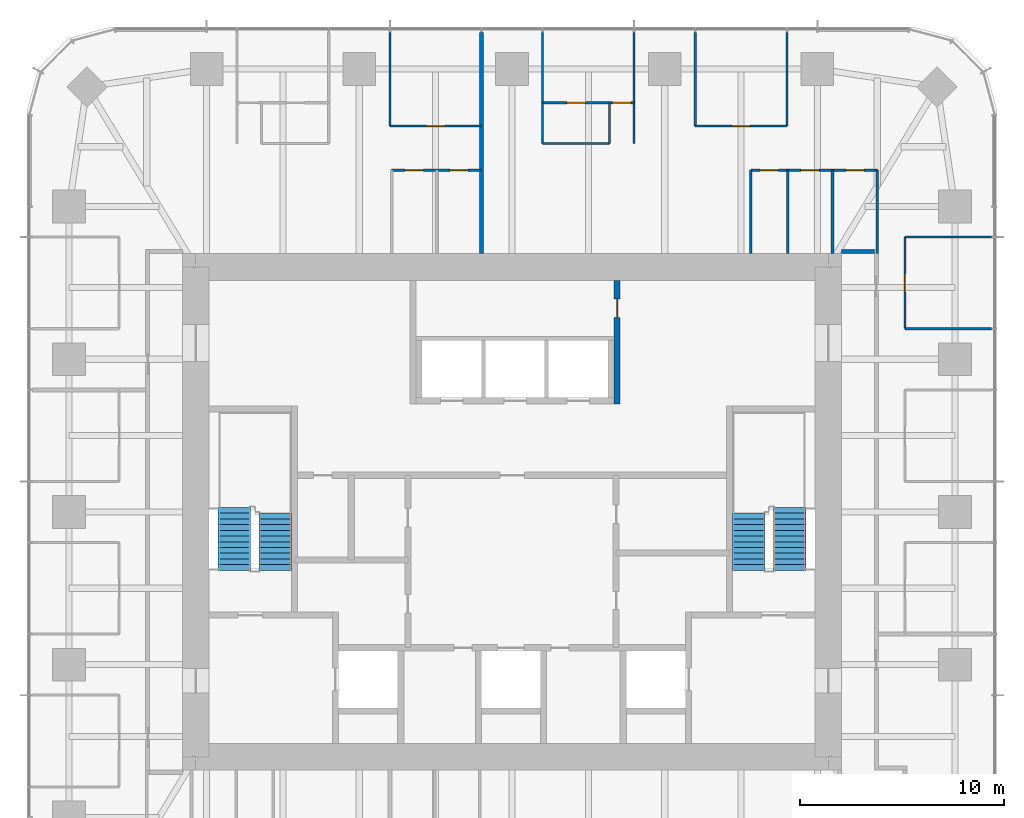
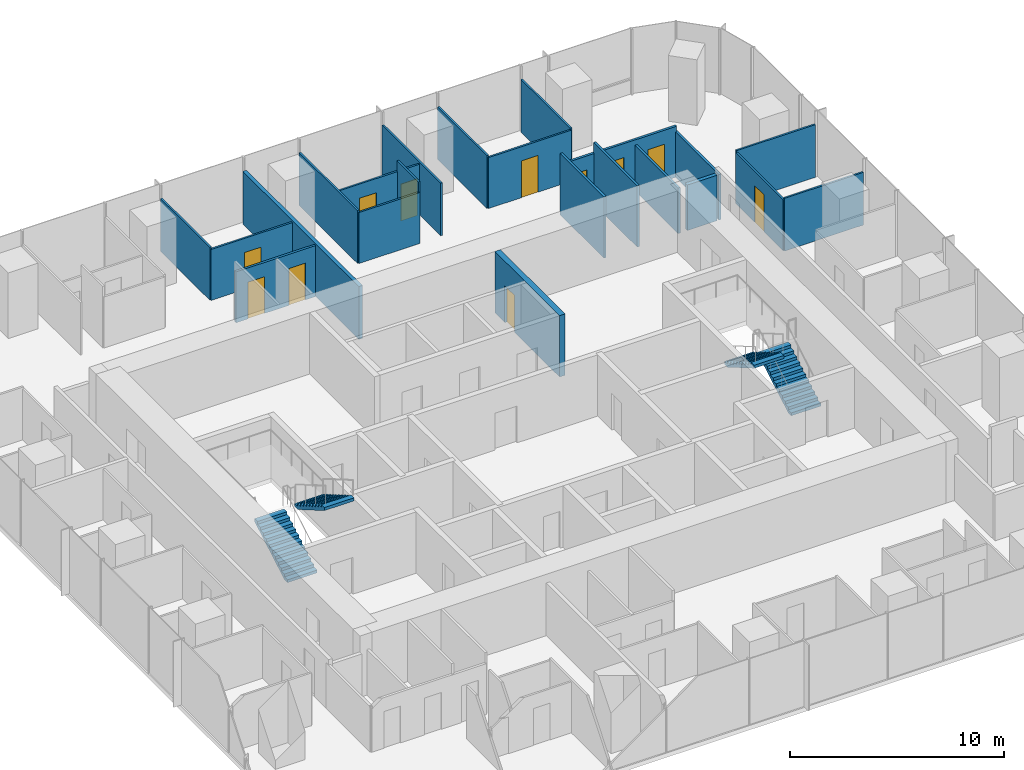
# One storey, part 11 of 12: 22 walls, 11 doors, 4 stair flights, 11 openings, 2 elements without a shape of their own.
"""IFC4 building model written with IfcOpenShell, lengths in metres."""

from ifc_helpers import new_model, si_unit, direction, frame, frame_2d, origin, place, context, subcontext, project, spatial, polyline, rectangle, outline, extrude, material, layer, layer_set, type_object, element, fill, aggregate, save


model = new_model("IFC4")

# Units and contexts
model_context = context("Model", 3, precision=1e-05, world=origin(), true_north=direction((0.0, 1.0)))
body_context = subcontext(model_context, "Body", "Model", "MODEL_VIEW")
ifc_project = project(units=[si_unit("LENGTHUNIT", "METRE"), si_unit("AREAUNIT", "SQUARE_METRE"), si_unit("VOLUMEUNIT", "CUBIC_METRE"), si_unit("PLANEANGLEUNIT", "RADIAN"), si_unit("MASSUNIT", "GRAM", prefix="KILO")], contexts=[model_context])

# Site, building, storey
site_placement = place(None, origin())
site = spatial("IfcSite", under=ifc_project, at=site_placement, CompositionType="ELEMENT")
building_placement = place(site_placement, origin())
building = spatial("IfcBuilding", under=site, at=building_placement, Name="Khuree Lantern Residences", CompositionType="ELEMENT")
storey_placement = place(building_placement, frame((0.0, 0.0, 300.75)))
storey = spatial("IfcBuildingStorey", under=building, at=storey_placement, Name="L75", CompositionType="ELEMENT", Elevation=300.75)

# Wall, openings, doors
ifc_material_1 = material(Name="Moisture-resistant gypsum board on steel studs", Category="steel")
ifc_layer_1 = layer(ifc_material_1, 0.125)
ifc_layer_set_1 = layer_set([ifc_layer_1], Name="BATHROOM WALL BTW125")
wall_type_1 = type_object("IfcWallType", Name="BATHROOM WALL BTW125", PredefinedType="PARTITIONING", material=ifc_layer_set_1)
wall_1_placement = place(storey_placement, frame((17.89990234375, 16.746337890625, 0.0), z_axis=(0.0, 0.0, 1.0), x_axis=(-1.0, 0.0, 0.0)))
wall_1 = element("IfcWall", 1, at=wall_1_placement, inside=storey, type_object=wall_type_1, Name="L75 BATHROOM WALL 01", PredefinedType="PARTITIONING", context=body_context, shape_type="SweptSolid", body=[
    extrude(rectangle(XDim=6.199951171875, YDim=0.125, at=frame_2d((3.10009765625, 0.0))), origin(), (0.0, 0.0, 1.0), 2.89990234375),
])
opening_1_placement = place(wall_1_placement, frame((0.64990234375, 0.0, 0.0)))
opening_1 = element("IfcOpeningElement", 2, at=opening_1_placement, cuts=wall_1, Name="Opening 75-028", PredefinedType="OPENING", context=body_context, shape_type="SweptSolid", body=[
    extrude(rectangle(XDim=0.89990234375, YDim=2.10009765625, at=frame_2d((0.449951171875, 1.050048828125))), frame((0.0, 0.072509765625, 0.0), z_axis=(0.0, -1.0, 0.0), x_axis=(1.0, 0.0, 0.0)), (0.0, 0.0, 1.0), 0.14501953125),
])
opening_2_placement = place(wall_1_placement, frame((2.85009765625, 0.0, 0.0)))
opening_2 = element("IfcOpeningElement", 3, at=opening_2_placement, cuts=wall_1, Name="Opening 75-029", PredefinedType="OPENING", context=body_context, shape_type="SweptSolid", body=[
    extrude(rectangle(XDim=0.89990234375, YDim=2.10009765625, at=frame_2d((0.449951171875, 1.050048828125))), frame((0.0, 0.072509765625, 0.0), z_axis=(0.0, -1.0, 0.0), x_axis=(1.0, 0.0, 0.0)), (0.0, 0.0, 1.0), 0.14501953125),
])
opening_3_placement = place(wall_1_placement, frame((4.85009765625, 0.0, 0.0)))
opening_3 = element("IfcOpeningElement", 4, at=opening_3_placement, cuts=wall_1, Name="Opening 75-030", PredefinedType="OPENING", context=body_context, shape_type="SweptSolid", body=[
    extrude(rectangle(XDim=0.89990234375, YDim=2.10009765625, at=frame_2d((0.449951171875, 1.050048828125))), frame((0.0, 0.072509765625, 0.0), z_axis=(0.0, -1.0, 0.0), x_axis=(1.0, 0.0, 0.0)), (0.0, 0.0, 1.0), 0.14501953125),
])
ifc_material_2 = material(Name="Timber door leaf in hardwood frame", Category="wood")
door_type_1 = type_object("IfcDoorType", Name="BATHROOM DOOR 900X2100", OperationType="SINGLE_SWING_LEFT", PredefinedType="DOOR", material=ifc_material_2)
door_1_placement = place(opening_1_placement, origin())
door_1 = element("IfcDoor", 5, at=door_1_placement, inside=storey, type_object=door_type_1, Name="Bathroom door 75-028", OperationType="SINGLE_SWING_LEFT", OverallHeight=2.10009765625, OverallWidth=0.89990234375, PredefinedType="DOOR", context=body_context, shape_type="SweptSolid", body=[
    extrude(rectangle(XDim=0.89990234375, YDim=2.10009765625, at=frame_2d((0.449951171875, 1.050048828125))), frame((0.0, 0.02490234375, 0.0), z_axis=(0.0, -1.0, 0.0), x_axis=(1.0, 0.0, 0.0)), (0.0, 0.0, 1.0), 0.050048828125),
])
fill(opening_1, door_1)
door_2_placement = place(opening_2_placement, origin())
door_2 = element("IfcDoor", 6, at=door_2_placement, inside=storey, type_object=door_type_1, Name="Bathroom door 75-029", OperationType="SINGLE_SWING_LEFT", OverallHeight=2.10009765625, OverallWidth=0.89990234375, PredefinedType="DOOR", context=body_context, shape_type="SweptSolid", body=[
    extrude(rectangle(XDim=0.89990234375, YDim=2.10009765625, at=frame_2d((0.449951171875, 1.050048828125))), frame((0.0, 0.02490234375, 0.0), z_axis=(0.0, -1.0, 0.0), x_axis=(1.0, 0.0, 0.0)), (0.0, 0.0, 1.0), 0.050048828125),
])
fill(opening_2, door_2)
door_type_2 = type_object("IfcDoorType", Name="DOOR 900X2100", OperationType="SINGLE_SWING_LEFT", PredefinedType="DOOR", material=ifc_material_2)
door_3_placement = place(opening_3_placement, origin())
door_3 = element("IfcDoor", 7, at=door_3_placement, inside=storey, type_object=door_type_2, Name="Store door 75-030", OperationType="SINGLE_SWING_LEFT", OverallHeight=2.10009765625, OverallWidth=0.89990234375, PredefinedType="DOOR", context=body_context, shape_type="SweptSolid", body=[
    extrude(rectangle(XDim=0.89990234375, YDim=2.10009765625, at=frame_2d((0.449951171875, 1.050048828125))), frame((0.0, 0.02490234375, 0.0), z_axis=(0.0, -1.0, 0.0), x_axis=(1.0, 0.0, 0.0)), (0.0, 0.0, 1.0), 0.050048828125),
])
fill(opening_3, door_3)

# Walls
for number, where, z_axis, x_axis, name in (
    (8, (17.89990234375, 12.64990234375, 0.0), (0.0, 0.0, 1.0), (0.0, 1.0, 0.0), "L75 BATHROOM WALL 01"),
    (9, (15.699951171875, 12.64990234375, 0.0), (0.0, 0.0, 1.0), (0.0, 1.0, 0.0), "L75 BATHROOM WALL 01"),
):
    element("IfcWall", number, at=place(storey_placement, frame(where, z_axis=z_axis, x_axis=x_axis)), inside=storey, type_object=wall_type_1, Name=name, PredefinedType="PARTITIONING", context=body_context, shape_type="SweptSolid", body=[
        extrude(rectangle(XDim=4.096435546875, YDim=0.125, at=frame_2d((2.04833984375, 0.0))), origin(), (0.0, 0.0, 1.0), 2.60009765625),
    ])
for number, where, z_axis, x_axis, name in (
    (10, (13.5, 12.64990234375, 0.0), (0.0, 0.0, 1.0), (0.0, 1.0, 0.0), "L75 BATHROOM WALL 01"),
    (11, (11.699951171875, 12.64990234375, 0.0), (0.0, 0.0, 1.0), (0.0, 1.0, 0.0), "L75 BATHROOM WALL 01"),
):
    element("IfcWall", number, at=place(storey_placement, frame(where, z_axis=z_axis, x_axis=x_axis)), inside=storey, type_object=wall_type_1, Name=name, PredefinedType="PARTITIONING", context=body_context, shape_type="SweptSolid", body=[
        extrude(rectangle(XDim=4.096435546875, YDim=0.125, at=frame_2d((2.04833984375, 0.0))), origin(), (0.0, 0.0, 1.0), 3.5),
    ])

# Wall, openings, doors
wall_2_placement = place(storey_placement, frame((-1.49609375, 16.746337890625, 0.0), z_axis=(0.0, 0.0, 1.0), x_axis=(-1.0, 0.0, 0.0)))
wall_2 = element("IfcWall", 12, at=wall_2_placement, inside=storey, type_object=wall_type_1, Name="L75 BATHROOM WALL 02", PredefinedType="PARTITIONING", context=body_context, shape_type="SweptSolid", body=[
    extrude(rectangle(XDim=4.39990234375, YDim=0.125, at=frame_2d((2.199951171875, 0.0))), origin(), (0.0, 0.0, 1.0), 2.909912109375),
])
opening_4_placement = place(wall_2_placement, frame((0.64990234375, 0.0, 0.0)))
opening_4 = element("IfcOpeningElement", 13, at=opening_4_placement, cuts=wall_2, Name="Opening 75-036", PredefinedType="OPENING", context=body_context, shape_type="SweptSolid", body=[
    extrude(rectangle(XDim=0.89990234375, YDim=2.10009765625, at=frame_2d((0.449951171875, 1.050048828125))), frame((0.0, 0.072509765625, 0.0), z_axis=(0.0, -1.0, 0.0), x_axis=(1.0, 0.0, 0.0)), (0.0, 0.0, 1.0), 0.14501953125),
])
opening_5_placement = place(wall_2_placement, frame((2.85009765625, 0.0, 0.0)))
opening_5 = element("IfcOpeningElement", 14, at=opening_5_placement, cuts=wall_2, Name="Opening 75-037", PredefinedType="OPENING", context=body_context, shape_type="SweptSolid", body=[
    extrude(rectangle(XDim=0.89990234375, YDim=2.10009765625, at=frame_2d((0.449951171875, 1.050048828125))), frame((0.0, 0.072509765625, 0.0), z_axis=(0.0, -1.0, 0.0), x_axis=(1.0, 0.0, 0.0)), (0.0, 0.0, 1.0), 0.14501953125),
])
door_4_placement = place(opening_4_placement, origin())
door_4 = element("IfcDoor", 15, at=door_4_placement, inside=storey, type_object=door_type_1, Name="Bathroom door 75-036", OperationType="SINGLE_SWING_LEFT", OverallHeight=2.10009765625, OverallWidth=0.89990234375, PredefinedType="DOOR", context=body_context, shape_type="SweptSolid", body=[
    extrude(rectangle(XDim=0.89990234375, YDim=2.10009765625, at=frame_2d((0.449951171875, 1.050048828125))), frame((0.0, 0.02490234375, 0.0), z_axis=(0.0, -1.0, 0.0), x_axis=(1.0, 0.0, 0.0)), (0.0, 0.0, 1.0), 0.050048828125),
])
fill(opening_4, door_4)
door_5_placement = place(opening_5_placement, origin())
door_5 = element("IfcDoor", 16, at=door_5_placement, inside=storey, type_object=door_type_1, Name="Bathroom door 75-037", OperationType="SINGLE_SWING_LEFT", OverallHeight=2.10009765625, OverallWidth=0.89990234375, PredefinedType="DOOR", context=body_context, shape_type="SweptSolid", body=[
    extrude(rectangle(XDim=0.89990234375, YDim=2.10009765625, at=frame_2d((0.449951171875, 1.050048828125))), frame((0.0, 0.02490234375, 0.0), z_axis=(0.0, -1.0, 0.0), x_axis=(1.0, 0.0, 0.0)), (0.0, 0.0, 1.0), 0.050048828125),
])
fill(opening_5, door_5)

# Wall, opening, door
ifc_material_3 = material(Name="Dense concrete blockwork", Category="masonry")
ifc_layer_2 = layer(ifc_material_3, 0.300048828125)
ifc_layer_set_2 = layer_set([ifc_layer_2], Name="CORE PARTITION WALL CPW300 EI 120")
wall_type_2 = type_object("IfcWallType", Name="CORE PARTITION WALL CPW300 EI 120", PredefinedType="PARTITIONING", material=ifc_layer_set_2)
wall_3_placement = place(storey_placement, frame((5.14990234375, 5.300048828125, 0.0), z_axis=(0.0, 0.0, 1.0), x_axis=(0.0, 1.0, 0.0)))
wall_3 = element("IfcWall", 17, at=wall_3_placement, inside=storey, type_object=wall_type_2, Name="L75 CORE WALL NE", PredefinedType="PARTITIONING", context=body_context, shape_type="SweptSolid", body=[
    extrude(rectangle(XDim=6.050048828125, YDim=0.300048828125, at=frame_2d((3.02490234375, 0.0))), origin(), (0.0, 0.0, 1.0), 3.5),
])
opening_6_placement = place(wall_3_placement, frame((4.22509765625, 0.0, 0.0)))
opening_6 = element("IfcOpeningElement", 18, at=opening_6_placement, cuts=wall_3, Name="Opening 75-021", PredefinedType="OPENING", context=body_context, shape_type="SweptSolid", body=[
    extrude(rectangle(XDim=0.89990234375, YDim=2.10009765625, at=frame_2d((0.449951171875, 1.050048828125))), frame((0.0, 0.16015625, 0.0), z_axis=(0.0, -1.0, 0.0), x_axis=(1.0, 0.0, 0.0)), (0.0, 0.0, 1.0), 0.320068359375),
])
door_6_placement = place(opening_6_placement, origin())
door_6 = element("IfcDoor", 19, at=door_6_placement, inside=storey, type_object=door_type_2, Name="Residents' store door 75-021", OperationType="SINGLE_SWING_LEFT", OverallHeight=2.10009765625, OverallWidth=0.89990234375, PredefinedType="DOOR", context=body_context, shape_type="SweptSolid", body=[
    extrude(rectangle(XDim=0.89990234375, YDim=2.10009765625, at=frame_2d((0.449951171875, 1.050048828125))), frame((0.0, 0.02490234375, 0.0), z_axis=(0.0, -1.0, 0.0), x_axis=(1.0, 0.0, 0.0)), (0.0, 0.0, 1.0), 0.050048828125),
])
fill(opening_6, door_6)

# Walls
ifc_material_4 = material(Name="Gypsum board on steel studs", Category="steel")
ifc_layer_3 = layer(ifc_material_4, 0.199951171875)
ifc_layer_set_3 = layer_set([ifc_layer_3], Name="CORRIDOR WALL CRW200 EI 60")
wall_type_3 = type_object("IfcWallType", Name="CORRIDOR WALL CRW200 EI 60", PredefinedType="PARTITIONING", material=ifc_layer_set_3)
wall_4_placement = place(storey_placement, frame((16.14990234375, 12.75, 0.0), z_axis=(0.0, 0.0, 1.0), x_axis=(1.0, 0.0, 0.0)))
element("IfcWall", 20, at=wall_4_placement, inside=storey, type_object=wall_type_3, Name="L75 EAST CORRIDOR NORTH END WALL", PredefinedType="PARTITIONING", context=body_context, shape_type="SweptSolid", body=[
    extrude(rectangle(XDim=1.60009765625, YDim=0.199951171875, at=frame_2d((0.800048828125, 0.0))), origin(), (0.0, 0.0, 1.0), 2.60009765625),
])
ifc_layer_4 = layer(ifc_material_4, 0.199951171875)
ifc_layer_set_4 = layer_set([ifc_layer_4], Name="DEMISING WALL DMW200 EI 90")
wall_type_4 = type_object("IfcWallType", Name="DEMISING WALL DMW200 EI 90", PredefinedType="PARTITIONING", material=ifc_layer_set_4)
wall_5_placement = place(storey_placement, frame((-1.49609375, 12.64990234375, 0.0), z_axis=(0.0, 0.0, 1.0), x_axis=(0.0, 1.0, 0.0)))
element("IfcWall", 21, at=wall_5_placement, inside=storey, type_object=wall_type_4, Name="L75 DEMISING WALL 02", PredefinedType="PARTITIONING", context=body_context, shape_type="SweptSolid", body=[
    extrude(rectangle(XDim=10.85009765625, YDim=0.199951171875, at=frame_2d((5.425048828125, 0.0))), origin(), (0.0, 0.0, 1.0), 3.010009765625),
])
ifc_layer_5 = layer(ifc_material_4, 0.10009765625)
ifc_layer_set_5 = layer_set([ifc_layer_5], Name="PARTITION PT100")
wall_type_5 = type_object("IfcWallType", Name="PARTITION PT100", PredefinedType="PARTITIONING", material=ifc_layer_set_5)
for number, where, z_axis, x_axis, name in (
    (22, (19.25, 8.97607421875, 0.0), (0.0, 0.0, 1.0), (1.0, 0.0, 0.0), "L75 PARTITION 01"),
    (23, (19.25, 13.464111328125, 0.0), (0.0, 0.0, 1.0), (1.0, 0.0, 0.0), "L75 PARTITION 01"),
):
    element("IfcWall", number, at=place(storey_placement, frame(where, z_axis=z_axis, x_axis=x_axis)), inside=storey, type_object=wall_type_5, Name=name, PredefinedType="PARTITIONING", context=body_context, shape_type="SweptSolid", body=[
        extrude(rectangle(XDim=4.25, YDim=0.10009765625, at=frame_2d((2.125, 0.0))), origin(), (0.0, 0.0, 1.0), 3.010009765625),
    ])
for number, where, z_axis, x_axis, name in (
    (24, (13.464111328125, 18.89990234375, 0.0), (0.0, 0.0, 1.0), (0.0, 1.0, 0.0), "L75 PARTITION 01"),
    (25, (8.97607421875, 18.89990234375, 0.0), (0.0, 0.0, 1.0), (0.0, 1.0, 0.0), "L75 PARTITION 01"),
):
    element("IfcWall", number, at=place(storey_placement, frame(where, z_axis=z_axis, x_axis=x_axis)), inside=storey, type_object=wall_type_5, Name=name, PredefinedType="PARTITIONING", context=body_context, shape_type="SweptSolid", body=[
        extrude(rectangle(XDim=4.60009765625, YDim=0.10009765625, at=frame_2d((2.300048828125, 0.0))), origin(), (0.0, 0.0, 1.0), 3.010009765625),
    ])
for number, where, z_axis, x_axis, name in (
    (26, (5.98388671875, 18.04638671875, 0.0), (0.0, 0.0, 1.0), (0.0, 1.0, 0.0), "L75 PARTITION 01"),
    (27, (1.49609375, 18.04638671875, 0.0), (0.0, 0.0, 1.0), (0.0, 1.0, 0.0), "L75 PARTITION 01"),
):
    element("IfcWall", number, at=place(storey_placement, frame(where, z_axis=z_axis, x_axis=x_axis)), inside=storey, type_object=wall_type_5, Name=name, PredefinedType="PARTITIONING", context=body_context, shape_type="SweptSolid", body=[
        extrude(rectangle(XDim=5.45361328125, YDim=0.10009765625, at=frame_2d((2.726806640625, 0.0))), origin(), (0.0, 0.0, 1.0), 3.010009765625),
    ])
wall_6_placement = place(storey_placement, frame((-5.98388671875, 18.89990234375, 0.0), z_axis=(0.0, 0.0, 1.0), x_axis=(0.0, 1.0, 0.0)))
element("IfcWall", 28, at=wall_6_placement, inside=storey, type_object=wall_type_5, Name="L75 PARTITION 02", PredefinedType="PARTITIONING", context=body_context, shape_type="SweptSolid", body=[
    extrude(rectangle(XDim=4.60009765625, YDim=0.10009765625, at=frame_2d((2.300048828125, 0.0))), origin(), (0.0, 0.0, 1.0), 3.010009765625),
])

# Wall, opening, door
wall_7_placement = place(storey_placement, frame((19.25, 8.97607421875, 0.0), z_axis=(0.0, 0.0, 1.0), x_axis=(0.0, 1.0, 0.0)))
wall_7 = element("IfcWall", 29, at=wall_7_placement, inside=storey, type_object=wall_type_5, Name="L75 PARTITION 01", PredefinedType="PARTITIONING", context=body_context, shape_type="SweptSolid", body=[
    extrude(rectangle(XDim=4.488037109375, YDim=0.10009765625, at=frame_2d((2.244140625, 0.0))), origin(), (0.0, 0.0, 1.0), 2.909912109375),
])
opening_7_placement = place(wall_7_placement, frame((1.7939453125, 0.0, 0.0)))
opening_7 = element("IfcOpeningElement", 30, at=opening_7_placement, cuts=wall_7, Name="Opening 75-024", PredefinedType="OPENING", context=body_context, shape_type="SweptSolid", body=[
    extrude(rectangle(XDim=0.89990234375, YDim=2.10009765625, at=frame_2d((0.449951171875, 1.050048828125))), frame((0.0, 0.06005859375, 0.0), z_axis=(0.0, -1.0, 0.0), x_axis=(1.0, 0.0, 0.0)), (0.0, 0.0, 1.0), 0.1201171875),
])
door_type_3 = type_object("IfcDoorType", Name="BEDROOM DOOR 900X2100", OperationType="SINGLE_SWING_LEFT", PredefinedType="DOOR", material=ifc_material_2)
door_7_placement = place(opening_7_placement, origin())
door_7 = element("IfcDoor", 31, at=door_7_placement, inside=storey, type_object=door_type_3, Name="Bedroom door 75-024", OperationType="SINGLE_SWING_LEFT", OverallHeight=2.10009765625, OverallWidth=0.89990234375, PredefinedType="DOOR", context=body_context, shape_type="SweptSolid", body=[
    extrude(rectangle(XDim=0.89990234375, YDim=2.10009765625, at=frame_2d((0.449951171875, 1.050048828125))), frame((0.0, 0.02490234375, 0.0), z_axis=(0.0, -1.0, 0.0), x_axis=(1.0, 0.0, 0.0)), (0.0, 0.0, 1.0), 0.050048828125),
])
fill(opening_7, door_7)

wall_8_placement = place(storey_placement, frame((13.464111328125, 18.89990234375, 0.0), z_axis=(0.0, 0.0, 1.0), x_axis=(-1.0, 0.0, 0.0)))
wall_8 = element("IfcWall", 32, at=wall_8_placement, inside=storey, type_object=wall_type_5, Name="L75 PARTITION 01", PredefinedType="PARTITIONING", context=body_context, shape_type="SweptSolid", body=[
    extrude(rectangle(XDim=4.488037109375, YDim=0.10009765625, at=frame_2d((2.244140625, 0.0))), origin(), (0.0, 0.0, 1.0), 2.909912109375),
])
opening_8_placement = place(wall_8_placement, frame((1.7939453125, 0.0, 0.0)))
opening_8 = element("IfcOpeningElement", 33, at=opening_8_placement, cuts=wall_8, Name="Opening 75-025", PredefinedType="OPENING", context=body_context, shape_type="SweptSolid", body=[
    extrude(rectangle(XDim=0.89990234375, YDim=2.10009765625, at=frame_2d((0.449951171875, 1.050048828125))), frame((0.0, 0.06005859375, 0.0), z_axis=(0.0, -1.0, 0.0), x_axis=(1.0, 0.0, 0.0)), (0.0, 0.0, 1.0), 0.1201171875),
])
door_8_placement = place(opening_8_placement, origin())
door_8 = element("IfcDoor", 34, at=door_8_placement, inside=storey, type_object=door_type_3, Name="Bedroom door 75-025", OperationType="SINGLE_SWING_LEFT", OverallHeight=2.10009765625, OverallWidth=0.89990234375, PredefinedType="DOOR", context=body_context, shape_type="SweptSolid", body=[
    extrude(rectangle(XDim=0.89990234375, YDim=2.10009765625, at=frame_2d((0.449951171875, 1.050048828125))), frame((0.0, 0.02490234375, 0.0), z_axis=(0.0, -1.0, 0.0), x_axis=(1.0, 0.0, 0.0)), (0.0, 0.0, 1.0), 0.050048828125),
])
fill(opening_8, door_8)

# Wall, openings, doors
wall_9_placement = place(storey_placement, frame((5.98388671875, 20.04638671875, 0.0), z_axis=(0.0, 0.0, 1.0), x_axis=(-1.0, 0.0, 0.0)))
wall_9 = element("IfcWall", 35, at=wall_9_placement, inside=storey, type_object=wall_type_5, Name="L75 PARTITION 01", PredefinedType="PARTITIONING", context=body_context, shape_type="SweptSolid", body=[
    extrude(rectangle(XDim=4.48779296875, YDim=0.10009765625, at=frame_2d((2.243896484375, 0.0))), origin(), (0.0, 0.0, 1.0), 2.909912109375),
])
opening_9_placement = place(wall_9_placement, frame((0.14990234375, 0.0, 0.0)))
opening_9 = element("IfcOpeningElement", 36, at=opening_9_placement, cuts=wall_9, Name="Opening 75-026", PredefinedType="OPENING", context=body_context, shape_type="SweptSolid", body=[
    extrude(rectangle(XDim=0.89990234375, YDim=2.10009765625, at=frame_2d((0.449951171875, 1.050048828125))), frame((0.0, 0.06005859375, 0.0), z_axis=(0.0, -1.0, 0.0), x_axis=(1.0, 0.0, 0.0)), (0.0, 0.0, 1.0), 0.1201171875),
])
opening_10_placement = place(wall_9_placement, frame((2.39404296875, 0.0, 0.0)))
opening_10 = element("IfcOpeningElement", 37, at=opening_10_placement, cuts=wall_9, Name="Opening 75-027", PredefinedType="OPENING", context=body_context, shape_type="SweptSolid", body=[
    extrude(rectangle(XDim=0.89990234375, YDim=2.10009765625, at=frame_2d((0.449951171875, 1.050048828125))), frame((0.0, 0.06005859375, 0.0), z_axis=(0.0, -1.0, 0.0), x_axis=(1.0, 0.0, 0.0)), (0.0, 0.0, 1.0), 0.1201171875),
])
door_9_placement = place(opening_9_placement, origin())
door_9 = element("IfcDoor", 38, at=door_9_placement, inside=storey, type_object=door_type_3, Name="Bedroom door 75-026", OperationType="SINGLE_SWING_LEFT", OverallHeight=2.10009765625, OverallWidth=0.89990234375, PredefinedType="DOOR", context=body_context, shape_type="SweptSolid", body=[
    extrude(rectangle(XDim=0.89990234375, YDim=2.10009765625, at=frame_2d((0.449951171875, 1.050048828125))), frame((0.0, 0.02490234375, 0.0), z_axis=(0.0, -1.0, 0.0), x_axis=(1.0, 0.0, 0.0)), (0.0, 0.0, 1.0), 0.050048828125),
])
fill(opening_9, door_9)
door_10_placement = place(opening_10_placement, origin())
door_10 = element("IfcDoor", 39, at=door_10_placement, inside=storey, type_object=door_type_2, Name="Wardrobe door 75-027", OperationType="SINGLE_SWING_LEFT", OverallHeight=2.10009765625, OverallWidth=0.89990234375, PredefinedType="DOOR", context=body_context, shape_type="SweptSolid", body=[
    extrude(rectangle(XDim=0.89990234375, YDim=2.10009765625, at=frame_2d((0.449951171875, 1.050048828125))), frame((0.0, 0.02490234375, 0.0), z_axis=(0.0, -1.0, 0.0), x_axis=(1.0, 0.0, 0.0)), (0.0, 0.0, 1.0), 0.050048828125),
])
fill(opening_10, door_10)

# Walls
wall_10_placement = place(storey_placement, frame((4.783935546875, 18.04638671875, 0.0), z_axis=(0.0, 0.0, 1.0), x_axis=(0.0, 1.0, 0.0)))
element("IfcWall", 40, at=wall_10_placement, inside=storey, type_object=wall_type_5, Name="L75 PARTITION 01", PredefinedType="PARTITIONING", context=body_context, shape_type="SweptSolid", body=[
    extrude(rectangle(XDim=2.0, YDim=0.10009765625, at=frame_2d((1.0, 0.0))), origin(), (0.0, 0.0, 1.0), 3.5),
])
wall_11_placement = place(storey_placement, frame((4.783935546875, 18.04638671875, 0.0), z_axis=(0.0, 0.0, 1.0), x_axis=(-1.0, 0.0, 0.0)))
element("IfcWall", 41, at=wall_11_placement, inside=storey, type_object=wall_type_5, Name="L75 PARTITION 01", PredefinedType="PARTITIONING", context=body_context, shape_type="SweptSolid", body=[
    extrude(rectangle(XDim=3.287841796875, YDim=0.10009765625, at=frame_2d((1.64404296875, 0.0))), origin(), (0.0, 0.0, 1.0), 2.909912109375),
])

# Wall, opening, door
wall_12_placement = place(storey_placement, frame((-1.49609375, 18.89990234375, 0.0), z_axis=(0.0, 0.0, 1.0), x_axis=(-1.0, 0.0, 0.0)))
wall_12 = element("IfcWall", 42, at=wall_12_placement, inside=storey, type_object=wall_type_5, Name="L75 PARTITION 02", PredefinedType="PARTITIONING", context=body_context, shape_type="SweptSolid", body=[
    extrude(rectangle(XDim=4.48779296875, YDim=0.10009765625, at=frame_2d((2.243896484375, 0.0))), origin(), (0.0, 0.0, 1.0), 2.909912109375),
])
opening_11_placement = place(wall_12_placement, frame((1.7939453125, 0.0, 0.0)))
opening_11 = element("IfcOpeningElement", 43, at=opening_11_placement, cuts=wall_12, Name="Opening 75-032", PredefinedType="OPENING", context=body_context, shape_type="SweptSolid", body=[
    extrude(rectangle(XDim=0.89990234375, YDim=2.10009765625, at=frame_2d((0.449951171875, 1.050048828125))), frame((0.0, 0.06005859375, 0.0), z_axis=(0.0, -1.0, 0.0), x_axis=(1.0, 0.0, 0.0)), (0.0, 0.0, 1.0), 0.1201171875),
])
door_11_placement = place(opening_11_placement, origin())
door_11 = element("IfcDoor", 44, at=door_11_placement, inside=storey, type_object=door_type_3, Name="Bedroom door 75-032", OperationType="SINGLE_SWING_LEFT", OverallHeight=2.10009765625, OverallWidth=0.89990234375, PredefinedType="DOOR", context=body_context, shape_type="SweptSolid", body=[
    extrude(rectangle(XDim=0.89990234375, YDim=2.10009765625, at=frame_2d((0.449951171875, 1.050048828125))), frame((0.0, 0.02490234375, 0.0), z_axis=(0.0, -1.0, 0.0), x_axis=(1.0, 0.0, 0.0)), (0.0, 0.0, 1.0), 0.050048828125),
])
fill(opening_11, door_11)

# Stair, stair flights
ifc_material_5 = material(Name="Concrete C40/50", Category="concrete")
stair_type = type_object("IfcStairType", Name="STAIR ST1 HALF TURN 3600", PredefinedType="HALF_TURN_STAIR", material=ifc_material_5)
stair_1_placement = place(storey_placement, origin())
stair_1 = element("IfcStair", 45, at=stair_1_placement, inside=storey, type_object=stair_type, Name="Stair ST1", PredefinedType="HALF_TURN_STAIR")
stair_flight_type = type_object("IfcStairFlightType", Name="STAIR FLIGHT SF1 1600", PredefinedType="STRAIGHT", material=ifc_material_5)
stair_flight_1_placement = place(storey_placement, frame((-13.60009765625, -2.860107421875, 0.0), z_axis=(0.0, 0.0, 1.0), x_axis=(0.0, 1.0, 0.0)))
stair_flight_1 = element("IfcStairFlight", 46, at=stair_flight_1_placement, type_object=stair_flight_type, Name="ST1 flight 1", NumberOfRisers=12, NumberOfTreads=11, PredefinedType="STRAIGHT", RiserHeight=0.163043478, TreadLength=0.28, context=body_context, shape_type="SweptSolid", body=[
    extrude(outline(polyline([(0.0, 0.0), (0.0, 0.1630859375), (0.280029296875, 0.1630859375), (0.280029296875, 0.326171875), (0.56005859375, 0.326171875), (0.56005859375, 0.489013671875), (0.840087890625, 0.489013671875), (0.840087890625, 0.652099609375), (1.1201171875, 0.652099609375), (1.1201171875, 0.815185546875), (1.39990234375, 0.815185546875), (1.39990234375, 0.978271484375), (1.679931640625, 0.978271484375), (1.679931640625, 1.141357421875), (1.9599609375, 1.141357421875), (1.9599609375, 1.304443359375), (2.239990234375, 1.304443359375), (2.239990234375, 1.46728515625), (2.52001953125, 1.46728515625), (2.52001953125, 1.63037109375), (2.800048828125, 1.63037109375), (2.800048828125, 1.79345703125), (3.080078125, 1.79345703125), (3.080078125, 1.95654296875), (3.080078125, 1.6201171875), (0.2978515625, 0.0), (0.0, 0.0)])), frame((0.0, 0.800048828125, 0.0), z_axis=(0.0, -1.0, 0.0), x_axis=(1.0, 0.0, 0.0)), (0.0, 0.0, 1.0), 1.60009765625),
])
stair_flight_2_placement = place(storey_placement, frame((-11.60009765625, -0.06005859375, 1.95654296875), z_axis=(0.0, 0.0, 1.0), x_axis=(0.0, -1.0, 0.0)))
stair_flight_2 = element("IfcStairFlight", 47, at=stair_flight_2_placement, type_object=stair_flight_type, Name="ST1 flight 2", NumberOfRisers=11, NumberOfTreads=10, PredefinedType="STRAIGHT", RiserHeight=0.163043478, TreadLength=0.28, context=body_context, shape_type="SweptSolid", body=[
    extrude(outline(polyline([(0.0, 0.0), (0.0, 0.1630859375), (0.280029296875, 0.1630859375), (0.280029296875, 0.326171875), (0.56005859375, 0.326171875), (0.56005859375, 0.489013671875), (0.840087890625, 0.489013671875), (0.840087890625, 0.652099609375), (1.1201171875, 0.652099609375), (1.1201171875, 0.815185546875), (1.39990234375, 0.815185546875), (1.39990234375, 0.978271484375), (1.679931640625, 0.978271484375), (1.679931640625, 1.141357421875), (1.9599609375, 1.141357421875), (1.9599609375, 1.304443359375), (2.239990234375, 1.304443359375), (2.239990234375, 1.46728515625), (2.52001953125, 1.46728515625), (2.52001953125, 1.63037109375), (2.800048828125, 1.63037109375), (2.800048828125, 1.79345703125), (2.800048828125, 1.45703125), (0.2978515625, 0.0), (0.0, 0.0)])), frame((0.0, 0.800048828125, 0.0), z_axis=(0.0, -1.0, 0.0), x_axis=(1.0, 0.0, 0.0)), (0.0, 0.0, 1.0), 1.60009765625),
])
aggregate(stair_1, [stair_flight_1, stair_flight_2])

stair_2_placement = place(storey_placement, origin())
stair_2 = element("IfcStair", 48, at=stair_2_placement, inside=storey, type_object=stair_type, Name="Stair ST2", PredefinedType="HALF_TURN_STAIR")
stair_flight_3_placement = place(storey_placement, frame((13.60009765625, -2.860107421875, 0.0), z_axis=(0.0, 0.0, 1.0), x_axis=(0.0, 1.0, 0.0)))
stair_flight_3 = element("IfcStairFlight", 49, at=stair_flight_3_placement, type_object=stair_flight_type, Name="ST2 flight 1", NumberOfRisers=12, NumberOfTreads=11, PredefinedType="STRAIGHT", RiserHeight=0.163043478, TreadLength=0.28, context=body_context, shape_type="SweptSolid", body=[
    extrude(outline(polyline([(0.0, 0.0), (0.0, 0.1630859375), (0.280029296875, 0.1630859375), (0.280029296875, 0.326171875), (0.56005859375, 0.326171875), (0.56005859375, 0.489013671875), (0.840087890625, 0.489013671875), (0.840087890625, 0.652099609375), (1.1201171875, 0.652099609375), (1.1201171875, 0.815185546875), (1.39990234375, 0.815185546875), (1.39990234375, 0.978271484375), (1.679931640625, 0.978271484375), (1.679931640625, 1.141357421875), (1.9599609375, 1.141357421875), (1.9599609375, 1.304443359375), (2.239990234375, 1.304443359375), (2.239990234375, 1.46728515625), (2.52001953125, 1.46728515625), (2.52001953125, 1.63037109375), (2.800048828125, 1.63037109375), (2.800048828125, 1.79345703125), (3.080078125, 1.79345703125), (3.080078125, 1.95654296875), (3.080078125, 1.6201171875), (0.2978515625, 0.0), (0.0, 0.0)])), frame((0.0, 0.800048828125, 0.0), z_axis=(0.0, -1.0, 0.0), x_axis=(1.0, 0.0, 0.0)), (0.0, 0.0, 1.0), 1.60009765625),
])
stair_flight_4_placement = place(storey_placement, frame((11.60009765625, -0.06005859375, 1.95654296875), z_axis=(0.0, 0.0, 1.0), x_axis=(0.0, -1.0, 0.0)))
stair_flight_4 = element("IfcStairFlight", 50, at=stair_flight_4_placement, type_object=stair_flight_type, Name="ST2 flight 2", NumberOfRisers=11, NumberOfTreads=10, PredefinedType="STRAIGHT", RiserHeight=0.163043478, TreadLength=0.28, context=body_context, shape_type="SweptSolid", body=[
    extrude(outline(polyline([(0.0, 0.0), (0.0, 0.1630859375), (0.280029296875, 0.1630859375), (0.280029296875, 0.326171875), (0.56005859375, 0.326171875), (0.56005859375, 0.489013671875), (0.840087890625, 0.489013671875), (0.840087890625, 0.652099609375), (1.1201171875, 0.652099609375), (1.1201171875, 0.815185546875), (1.39990234375, 0.815185546875), (1.39990234375, 0.978271484375), (1.679931640625, 0.978271484375), (1.679931640625, 1.141357421875), (1.9599609375, 1.141357421875), (1.9599609375, 1.304443359375), (2.239990234375, 1.304443359375), (2.239990234375, 1.46728515625), (2.52001953125, 1.46728515625), (2.52001953125, 1.63037109375), (2.800048828125, 1.63037109375), (2.800048828125, 1.79345703125), (2.800048828125, 1.45703125), (0.2978515625, 0.0), (0.0, 0.0)])), frame((0.0, 0.800048828125, 0.0), z_axis=(0.0, -1.0, 0.0), x_axis=(1.0, 0.0, 0.0)), (0.0, 0.0, 1.0), 1.60009765625),
])
aggregate(stair_2, [stair_flight_3, stair_flight_4])

save(model, "model.ifc")
